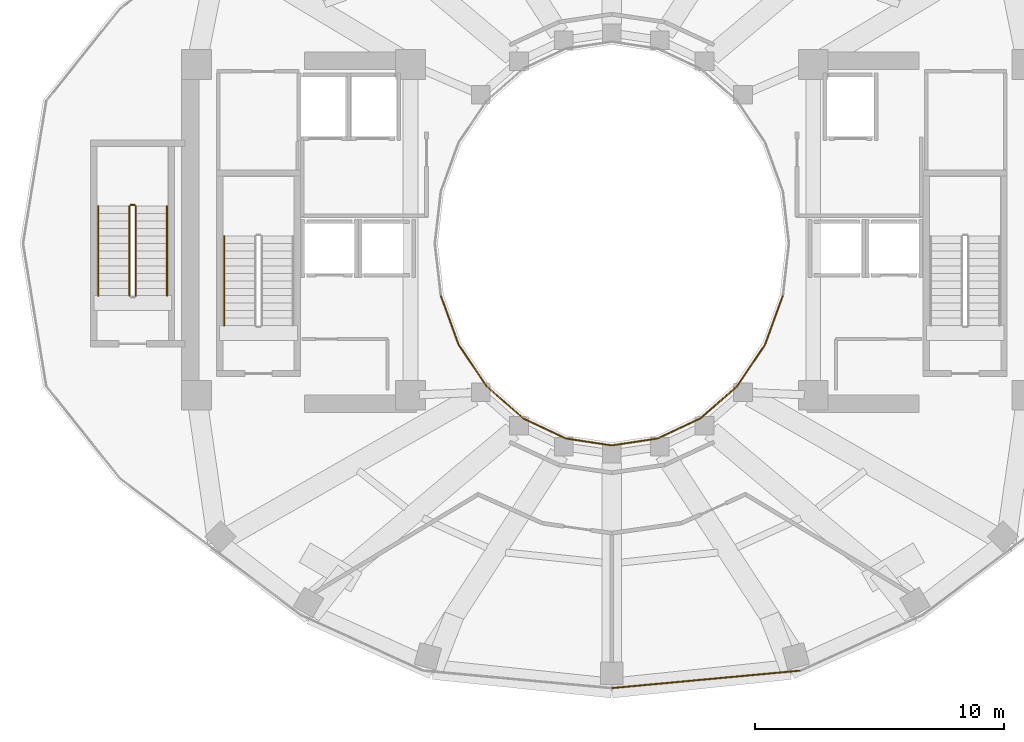
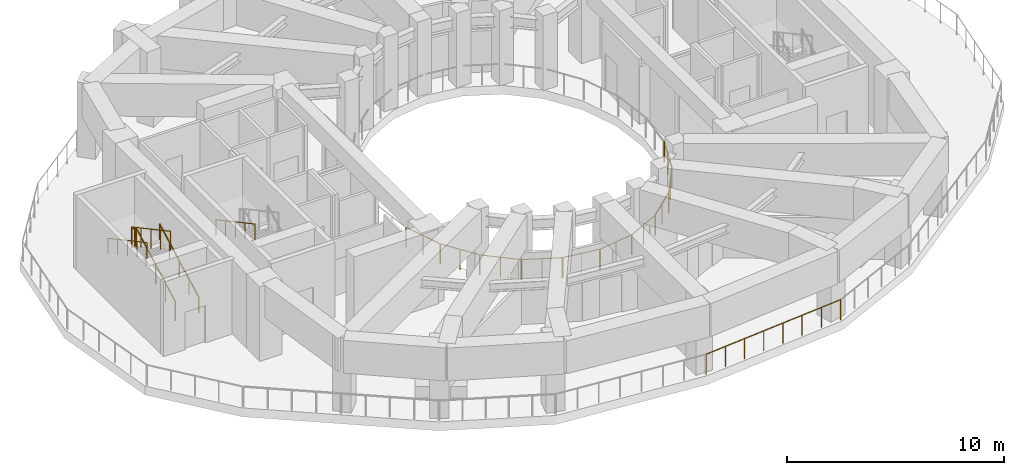
# One storey, part 6 of 9: 17 railings.
"""IFC4 building model written with IfcOpenShell, lengths in metres."""

from ifc_helpers import new_model, si_unit, direction, frame, origin, origin_2d, place, context, subcontext, project, spatial, circle, extrude, material, type_object, element, save


model = new_model("IFC4")

# Units and contexts
model_context = context("Model", 3, precision=1e-05, world=origin(), true_north=direction((0.0, 1.0)))
body_context = subcontext(model_context, "Body", "Model", "MODEL_VIEW")
ifc_project = project(units=[si_unit("LENGTHUNIT", "METRE"), si_unit("AREAUNIT", "SQUARE_METRE"), si_unit("VOLUMEUNIT", "CUBIC_METRE"), si_unit("PLANEANGLEUNIT", "RADIAN"), si_unit("MASSUNIT", "GRAM", prefix="KILO")], contexts=[model_context])

# Site, building, storey
site_placement = place(None, origin())
site = spatial("IfcSite", under=ifc_project, at=site_placement, CompositionType="ELEMENT")
building_placement = place(site_placement, origin())
building = spatial("IfcBuilding", under=site, at=building_placement, Name="Solvane Sanctuary Tower", CompositionType="ELEMENT")
storey_placement = place(building_placement, frame((0.0, 0.0, 133.199951171875)))
storey = spatial("IfcBuildingStorey", under=building, at=storey_placement, Name="L40", CompositionType="ELEMENT", Elevation=133.199951171875)

# Railings
ifc_material = material(Name="Architectural Stainless Steel 316", Category="steel")
railing_type_1 = type_object("IfcRailingType", Name="Railing GR-BALC-1150", PredefinedType="BALUSTRADE", material=ifc_material)
railing_1_placement = place(storey_placement, frame((32.02001953125, 5.121826171875, 0.0)))
element("IfcRailing", 1, at=railing_1_placement, inside=storey, type_object=railing_type_1, Name="L40 Open Void-Portal Perimeter Balustrade 18", PredefinedType="BALUSTRADE", context=body_context, shape_type="SweptSolid", body=[
    extrude(circle(Radius=0.02392578125, at=origin_2d()), frame((0.0, 0.0, 1.1259765625), z_axis=(0.995719906533, 0.092422225329, 0.0), x_axis=(-0.092422225329, 0.995719906533, 0.0)), (0.0, 0.0, 1.0), 7.583984375),
    extrude(circle(Radius=0.02099609375, at=origin_2d()), origin(), (0.0, 0.0, 1.0), 1.101806640625),
    extrude(circle(Radius=0.02099609375, at=origin_2d()), frame((1.078857421875, 0.10009765625, 0.0)), (0.0, 0.0, 1.0), 1.101806640625),
    extrude(circle(Radius=0.02099609375, at=origin_2d()), frame((2.157470703125, 0.2001953125, 0.0)), (0.0, 0.0, 1.0), 1.101806640625),
    extrude(circle(Radius=0.02099609375, at=origin_2d()), frame((3.236328125, 0.30029296875, 0.0)), (0.0, 0.0, 1.0), 1.101806640625),
    extrude(circle(Radius=0.02099609375, at=origin_2d()), frame((4.315185546875, 0.400634765625, 0.0)), (0.0, 0.0, 1.0), 1.101806640625),
    extrude(circle(Radius=0.02099609375, at=origin_2d()), frame((5.39404296875, 0.500732421875, 0.0)), (0.0, 0.0, 1.0), 1.101806640625),
    extrude(circle(Radius=0.02099609375, at=origin_2d()), frame((6.47265625, 0.600830078125, 0.0)), (0.0, 0.0, 1.0), 1.101806640625),
    extrude(circle(Radius=0.02099609375, at=origin_2d()), frame((7.551513671875, 0.700927734375, 0.0)), (0.0, 0.0, 1.0), 1.101806640625),
])
railing_2_placement = place(storey_placement, frame((12.860107421875, 20.89990234375, 0.16162109375)))
element("IfcRailing", 2, at=railing_2_placement, inside=storey, type_object=railing_type_1, Name="L40 ST-3 stair guard 1", PredefinedType="BALUSTRADE", context=body_context, shape_type="SweptSolid", body=[
    extrude(circle(Radius=0.02392578125, at=origin_2d()), frame((0.0, 0.0, 1.076171875), z_axis=(0.0, 0.880474934443, 0.474092701714), x_axis=(-1.0, 0.0, 0.0)), (0.0, 0.0, 1.0), 4.0888671875),
    extrude(circle(Radius=0.02099609375, at=origin_2d()), origin(), (0.0, 0.0, 1.0), 1.052001953125),
    extrude(circle(Radius=0.02099609375, at=origin_2d()), frame((0.0, 0.89990234375, 0.484619140625)), (0.0, 0.0, 1.0), 1.052001953125),
    extrude(circle(Radius=0.02099609375, at=origin_2d()), frame((0.0, 1.800048828125, 0.96923828125)), (0.0, 0.0, 1.0), 1.052001953125),
    extrude(circle(Radius=0.02099609375, at=origin_2d()), frame((0.0, 2.7001953125, 1.453857421875)), (0.0, 0.0, 1.0), 1.052001953125),
    extrude(circle(Radius=0.02099609375, at=origin_2d()), frame((0.0, 3.60009765625, 1.9384765625)), (0.0, 0.0, 1.0), 1.052001953125),
])
railing_3_placement = place(storey_placement, frame((12.81005859375, 24.550048828125, 2.10009765625)))
element("IfcRailing", 3, at=railing_3_placement, inside=storey, type_object=railing_type_1, Name="L40 ST-3 stair guard 2", PredefinedType="BALUSTRADE", context=body_context, shape_type="SweptSolid", body=[
    extrude(circle(Radius=0.02392578125, at=origin_2d()), frame((0.0, 0.0, 1.076171875), z_axis=(-1.0, 0.0, 0.0), x_axis=(0.0, -1.0, 0.0)), (0.0, 0.0, 1.0), 0.16015625),
    extrude(circle(Radius=0.02099609375, at=origin_2d()), origin(), (0.0, 0.0, 1.0), 1.052001953125),
    extrude(circle(Radius=0.02099609375, at=origin_2d()), frame((-0.16015625, 0.0, 0.0)), (0.0, 0.0, 1.0), 1.052001953125),
])
railing_4_placement = place(storey_placement, frame((12.60009765625, 24.5, 2.261474609375)))
element("IfcRailing", 4, at=railing_4_placement, inside=storey, type_object=railing_type_1, Name="L40 ST-3 stair guard 3", PredefinedType="BALUSTRADE", context=body_context, shape_type="SweptSolid", body=[
    extrude(circle(Radius=0.02392578125, at=origin_2d()), frame((0.0, 0.0, 1.076171875), z_axis=(0.0, -0.880474934443, 0.474092701714), x_axis=(1.0, 0.0, 0.0)), (0.0, 0.0, 1.0), 4.0888671875),
    extrude(circle(Radius=0.02099609375, at=origin_2d()), origin(), (0.0, 0.0, 1.0), 1.052001953125),
    extrude(circle(Radius=0.02099609375, at=origin_2d()), frame((0.0, -0.89990234375, 0.484619140625)), (0.0, 0.0, 1.0), 1.052001953125),
    extrude(circle(Radius=0.02099609375, at=origin_2d()), frame((0.0, -1.800048828125, 0.96923828125)), (0.0, 0.0, 1.0), 1.052001953125),
    extrude(circle(Radius=0.02099609375, at=origin_2d()), frame((0.0, -2.7001953125, 1.453857421875)), (0.0, 0.0, 1.0), 1.052001953125),
    extrude(circle(Radius=0.02099609375, at=origin_2d()), frame((0.0, -3.60009765625, 1.9384765625)), (0.0, 0.0, 1.0), 1.052001953125),
])
railing_type_2 = type_object("IfcRailingType", Name="Railing GR-WELL-1150", PredefinedType="GUARDRAIL", material=ifc_material)
railing_5_placement = place(storey_placement, frame((25.12939453125, 20.879638671875, 0.0)))
element("IfcRailing", 5, at=railing_5_placement, inside=storey, type_object=railing_type_2, Name="L40 Open Refuge Light-Well Guardrail 13", PredefinedType="GUARDRAIL", context=body_context, shape_type="SweptSolid", body=[
    extrude(circle(Radius=0.02392578125, at=origin_2d()), frame((0.0, 0.0, 1.1259765625), z_axis=(0.341416925197, -0.93991195502, 0.0), x_axis=(0.93991195502, 0.341416925197, 0.0)), (0.0, 0.0, 1.0), 2.043701171875),
    extrude(circle(Radius=0.02099609375, at=origin_2d()), origin(), (0.0, 0.0, 1.0), 1.101806640625),
    extrude(circle(Radius=0.02099609375, at=origin_2d()), frame((0.348876953125, -0.96044921875, 0.0)), (0.0, 0.0, 1.0), 1.101806640625),
    extrude(circle(Radius=0.02099609375, at=origin_2d()), frame((0.69775390625, -1.9208984375, 0.0)), (0.0, 0.0, 1.0), 1.101806640625),
])
railing_6_placement = place(storey_placement, frame((25.84521484375, 18.92333984375, 0.0)))
element("IfcRailing", 6, at=railing_6_placement, inside=storey, type_object=railing_type_2, Name="L40 Open Refuge Light-Well Guardrail 14", PredefinedType="GUARDRAIL", context=body_context, shape_type="SweptSolid", body=[
    extrude(circle(Radius=0.02392578125, at=origin_2d()), frame((0.0, 0.0, 1.1259765625), z_axis=(0.558155157445, -0.829736596889, 0.0), x_axis=(0.829736596889, 0.558155157445, 0.0)), (0.0, 0.0, 1.0), 1.98681640625),
    extrude(circle(Radius=0.02099609375, at=origin_2d()), origin(), (0.0, 0.0, 1.0), 1.101806640625),
    extrude(circle(Radius=0.02099609375, at=origin_2d()), frame((0.554443359375, -0.82421875, 0.0)), (0.0, 0.0, 1.0), 1.101806640625),
    extrude(circle(Radius=0.02099609375, at=origin_2d()), frame((1.10888671875, -1.6484375, 0.0)), (0.0, 0.0, 1.0), 1.101806640625),
])
railing_7_placement = place(storey_placement, frame((26.98046875, 17.2451171875, 0.0)))
element("IfcRailing", 7, at=railing_7_placement, inside=storey, type_object=railing_type_2, Name="L40 Open Refuge Light-Well Guardrail 15", PredefinedType="GUARDRAIL", context=body_context, shape_type="SweptSolid", body=[
    extrude(circle(Radius=0.02392578125, at=origin_2d()), frame((0.0, 0.0, 1.1259765625), z_axis=(0.752545174005, -0.658540629788, 0.0), x_axis=(0.658540629788, 0.752545174005, 0.0)), (0.0, 0.0, 1.0), 1.919189453125),
    extrude(circle(Radius=0.02099609375, at=origin_2d()), origin(), (0.0, 0.0, 1.0), 1.101806640625),
    extrude(circle(Radius=0.02099609375, at=origin_2d()), frame((0.72216796875, -0.6318359375, 0.0)), (0.0, 0.0, 1.0), 1.101806640625),
    extrude(circle(Radius=0.02099609375, at=origin_2d()), frame((1.4443359375, -1.263916015625, 0.0)), (0.0, 0.0, 1.0), 1.101806640625),
])
railing_8_placement = place(storey_placement, frame((28.4580078125, 15.95947265625, 0.0)))
element("IfcRailing", 8, at=railing_8_placement, inside=storey, type_object=railing_type_2, Name="L40 Open Refuge Light-Well Guardrail 16", PredefinedType="GUARDRAIL", context=body_context, shape_type="SweptSolid", body=[
    extrude(circle(Radius=0.02392578125, at=origin_2d()), frame((0.0, 0.0, 1.1259765625), z_axis=(0.90418385242, -0.427143489968, 0.0), x_axis=(0.427143489968, 0.90418385242, 0.0)), (0.0, 0.0, 1.0), 1.859375),
    extrude(circle(Radius=0.02099609375, at=origin_2d()), origin(), (0.0, 0.0, 1.0), 1.101806640625),
    extrude(circle(Radius=0.02099609375, at=origin_2d()), frame((0.840576171875, -0.39697265625, 0.0)), (0.0, 0.0, 1.0), 1.101806640625),
    extrude(circle(Radius=0.02099609375, at=origin_2d()), frame((1.68115234375, -0.794189453125, 0.0)), (0.0, 0.0, 1.0), 1.101806640625),
])
railing_9_placement = place(storey_placement, frame((30.177001953125, 15.15380859375, 0.0)))
element("IfcRailing", 9, at=railing_9_placement, inside=storey, type_object=railing_type_2, Name="L40 Open Refuge Light-Well Guardrail 17", PredefinedType="GUARDRAIL", context=body_context, shape_type="SweptSolid", body=[
    extrude(circle(Radius=0.02392578125, at=origin_2d()), frame((0.0, 0.0, 1.1259765625), z_axis=(0.988914736588, -0.148484489964, 0.0), x_axis=(0.148484489964, 0.988914736588, 0.0)), (0.0, 0.0, 1.0), 1.823486328125),
    extrude(circle(Radius=0.02099609375, at=origin_2d()), origin(), (0.0, 0.0, 1.0), 1.101806640625),
    extrude(circle(Radius=0.02099609375, at=origin_2d()), frame((0.901611328125, -0.13525390625, 0.0)), (0.0, 0.0, 1.0), 1.101806640625),
    extrude(circle(Radius=0.02099609375, at=origin_2d()), frame((1.80322265625, -0.270751953125, 0.0)), (0.0, 0.0, 1.0), 1.101806640625),
])
railing_10_placement = place(storey_placement, frame((32.019775390625, 14.883056640625, 0.0)))
element("IfcRailing", 10, at=railing_10_placement, inside=storey, type_object=railing_type_2, Name="L40 Open Refuge Light-Well Guardrail 18", PredefinedType="GUARDRAIL", context=body_context, shape_type="SweptSolid", body=[
    extrude(circle(Radius=0.02392578125, at=origin_2d()), frame((0.0, 0.0, 1.1259765625), z_axis=(0.988914736588, 0.148484489964, 0.0), x_axis=(-0.148484489964, 0.988914736588, 0.0)), (0.0, 0.0, 1.0), 1.823486328125),
    extrude(circle(Radius=0.02099609375, at=origin_2d()), origin(), (0.0, 0.0, 1.0), 1.101806640625),
    extrude(circle(Radius=0.02099609375, at=origin_2d()), frame((0.901611328125, 0.13525390625, 0.0)), (0.0, 0.0, 1.0), 1.101806640625),
    extrude(circle(Radius=0.02099609375, at=origin_2d()), frame((1.80322265625, 0.270751953125, 0.0)), (0.0, 0.0, 1.0), 1.101806640625),
])
railing_11_placement = place(storey_placement, frame((33.86083984375, 15.165283203125, 0.0)))
element("IfcRailing", 11, at=railing_11_placement, inside=storey, type_object=railing_type_2, Name="L40 Open Refuge Light-Well Guardrail 19", PredefinedType="GUARDRAIL", context=body_context, shape_type="SweptSolid", body=[
    extrude(circle(Radius=0.02392578125, at=origin_2d()), frame((0.0, 0.0, 1.1259765625), z_axis=(0.90418385242, 0.427143489968, 0.0), x_axis=(-0.427143489968, 0.90418385242, 0.0)), (0.0, 0.0, 1.0), 1.859375),
    extrude(circle(Radius=0.02099609375, at=origin_2d()), origin(), (0.0, 0.0, 1.0), 1.101806640625),
    extrude(circle(Radius=0.02099609375, at=origin_2d()), frame((0.840576171875, 0.39697265625, 0.0)), (0.0, 0.0, 1.0), 1.101806640625),
    extrude(circle(Radius=0.02099609375, at=origin_2d()), frame((1.68115234375, 0.794189453125, 0.0)), (0.0, 0.0, 1.0), 1.101806640625),
])
railing_12_placement = place(storey_placement, frame((35.5751953125, 15.981201171875, 0.0)))
element("IfcRailing", 12, at=railing_12_placement, inside=storey, type_object=railing_type_2, Name="L40 Open Refuge Light-Well Guardrail 20", PredefinedType="GUARDRAIL", context=body_context, shape_type="SweptSolid", body=[
    extrude(circle(Radius=0.02392578125, at=origin_2d()), frame((0.0, 0.0, 1.1259765625), z_axis=(0.752545174005, 0.658540629788, 0.0), x_axis=(-0.658540629788, 0.752545174005, 0.0)), (0.0, 0.0, 1.0), 1.919189453125),
    extrude(circle(Radius=0.02099609375, at=origin_2d()), origin(), (0.0, 0.0, 1.0), 1.101806640625),
    extrude(circle(Radius=0.02099609375, at=origin_2d()), frame((0.72216796875, 0.6318359375, 0.0)), (0.0, 0.0, 1.0), 1.101806640625),
    extrude(circle(Radius=0.02099609375, at=origin_2d()), frame((1.4443359375, 1.263916015625, 0.0)), (0.0, 0.0, 1.0), 1.101806640625),
])
railing_13_placement = place(storey_placement, frame((37.0458984375, 17.27490234375, 0.0)))
element("IfcRailing", 13, at=railing_13_placement, inside=storey, type_object=railing_type_2, Name="L40 Open Refuge Light-Well Guardrail 21", PredefinedType="GUARDRAIL", context=body_context, shape_type="SweptSolid", body=[
    extrude(circle(Radius=0.02392578125, at=origin_2d()), frame((0.0, 0.0, 1.1259765625), z_axis=(0.558155157445, 0.829736596889, 0.0), x_axis=(-0.829736596889, 0.558155157445, 0.0)), (0.0, 0.0, 1.0), 1.98681640625),
    extrude(circle(Radius=0.02099609375, at=origin_2d()), origin(), (0.0, 0.0, 1.0), 1.101806640625),
    extrude(circle(Radius=0.02099609375, at=origin_2d()), frame((0.554443359375, 0.82421875, 0.0)), (0.0, 0.0, 1.0), 1.101806640625),
    extrude(circle(Radius=0.02099609375, at=origin_2d()), frame((1.10888671875, 1.6484375, 0.0)), (0.0, 0.0, 1.0), 1.101806640625),
])
railing_14_placement = place(storey_placement, frame((38.1728515625, 18.958740234375, 0.0)))
element("IfcRailing", 14, at=railing_14_placement, inside=storey, type_object=railing_type_2, Name="L40 Open Refuge Light-Well Guardrail 22", PredefinedType="GUARDRAIL", context=body_context, shape_type="SweptSolid", body=[
    extrude(circle(Radius=0.02392578125, at=origin_2d()), frame((0.0, 0.0, 1.1259765625), z_axis=(0.341416925197, 0.93991195502, 0.0), x_axis=(-0.93991195502, 0.341416925197, 0.0)), (0.0, 0.0, 1.0), 2.043701171875),
    extrude(circle(Radius=0.02099609375, at=origin_2d()), origin(), (0.0, 0.0, 1.0), 1.101806640625),
    extrude(circle(Radius=0.02099609375, at=origin_2d()), frame((0.348876953125, 0.96044921875, 0.0)), (0.0, 0.0, 1.0), 1.101806640625),
    extrude(circle(Radius=0.02099609375, at=origin_2d()), frame((0.69775390625, 1.9208984375, 0.0)), (0.0, 0.0, 1.0), 1.101806640625),
])
railing_type_3 = type_object("IfcRailingType", Name="Railing HR-STAIR-920", PredefinedType="HANDRAIL", material=ifc_material)
railing_15_placement = place(storey_placement, frame((16.409912109375, 23.300048828125, 2.261474609375)))
element("IfcRailing", 15, at=railing_15_placement, inside=storey, type_object=railing_type_3, Name="L40 ST-1 stair handrail 2", PredefinedType="HANDRAIL", context=body_context, shape_type="SweptSolid", body=[
    extrude(circle(Radius=0.02392578125, at=origin_2d()), frame((0.0, 0.0, 0.8759765625), z_axis=(0.0, -0.880474934443, 0.474092701714), x_axis=(1.0, 0.0, 0.0)), (0.0, 0.0, 1.0), 4.0888671875),
    extrude(circle(Radius=0.02099609375, at=origin_2d()), origin(), (0.0, 0.0, 1.0), 0.851806640625),
    extrude(circle(Radius=0.02099609375, at=origin_2d()), frame((0.0, -0.89990234375, 0.484619140625)), (0.0, 0.0, 1.0), 0.851806640625),
    extrude(circle(Radius=0.02099609375, at=origin_2d()), frame((0.0, -1.800048828125, 0.96923828125)), (0.0, 0.0, 1.0), 0.851806640625),
    extrude(circle(Radius=0.02099609375, at=origin_2d()), frame((0.0, -2.7001953125, 1.453857421875)), (0.0, 0.0, 1.0), 0.851806640625),
    extrude(circle(Radius=0.02099609375, at=origin_2d()), frame((0.0, -3.60009765625, 1.9384765625)), (0.0, 0.0, 1.0), 0.851806640625),
])
railing_16_placement = place(storey_placement, frame((14.110107421875, 20.89990234375, 0.16162109375)))
element("IfcRailing", 16, at=railing_16_placement, inside=storey, type_object=railing_type_3, Name="L40 ST-3 stair handrail 1", PredefinedType="HANDRAIL", context=body_context, shape_type="SweptSolid", body=[
    extrude(circle(Radius=0.02392578125, at=origin_2d()), frame((0.0, 0.0, 0.8759765625), z_axis=(0.0, 0.880474934443, 0.474092701714), x_axis=(-1.0, 0.0, 0.0)), (0.0, 0.0, 1.0), 4.0888671875),
    extrude(circle(Radius=0.02099609375, at=origin_2d()), origin(), (0.0, 0.0, 1.0), 0.851806640625),
    extrude(circle(Radius=0.02099609375, at=origin_2d()), frame((0.0, 0.89990234375, 0.484619140625)), (0.0, 0.0, 1.0), 0.851806640625),
    extrude(circle(Radius=0.02099609375, at=origin_2d()), frame((0.0, 1.800048828125, 0.96923828125)), (0.0, 0.0, 1.0), 0.851806640625),
    extrude(circle(Radius=0.02099609375, at=origin_2d()), frame((0.0, 2.7001953125, 1.453857421875)), (0.0, 0.0, 1.0), 0.851806640625),
    extrude(circle(Radius=0.02099609375, at=origin_2d()), frame((0.0, 3.60009765625, 1.9384765625)), (0.0, 0.0, 1.0), 0.851806640625),
])
railing_17_placement = place(storey_placement, frame((11.35009765625, 24.5, 2.261474609375)))
element("IfcRailing", 17, at=railing_17_placement, inside=storey, type_object=railing_type_3, Name="L40 ST-3 stair handrail 2", PredefinedType="HANDRAIL", context=body_context, shape_type="SweptSolid", body=[
    extrude(circle(Radius=0.02392578125, at=origin_2d()), frame((0.0, 0.0, 0.8759765625), z_axis=(0.0, -0.880474934443, 0.474092701714), x_axis=(1.0, 0.0, 0.0)), (0.0, 0.0, 1.0), 4.0888671875),
    extrude(circle(Radius=0.02099609375, at=origin_2d()), origin(), (0.0, 0.0, 1.0), 0.851806640625),
    extrude(circle(Radius=0.02099609375, at=origin_2d()), frame((0.0, -0.89990234375, 0.484619140625)), (0.0, 0.0, 1.0), 0.851806640625),
    extrude(circle(Radius=0.02099609375, at=origin_2d()), frame((0.0, -1.800048828125, 0.96923828125)), (0.0, 0.0, 1.0), 0.851806640625),
    extrude(circle(Radius=0.02099609375, at=origin_2d()), frame((0.0, -2.7001953125, 1.453857421875)), (0.0, 0.0, 1.0), 0.851806640625),
    extrude(circle(Radius=0.02099609375, at=origin_2d()), frame((0.0, -3.60009765625, 1.9384765625)), (0.0, 0.0, 1.0), 0.851806640625),
])

save(model, "model.ifc")
